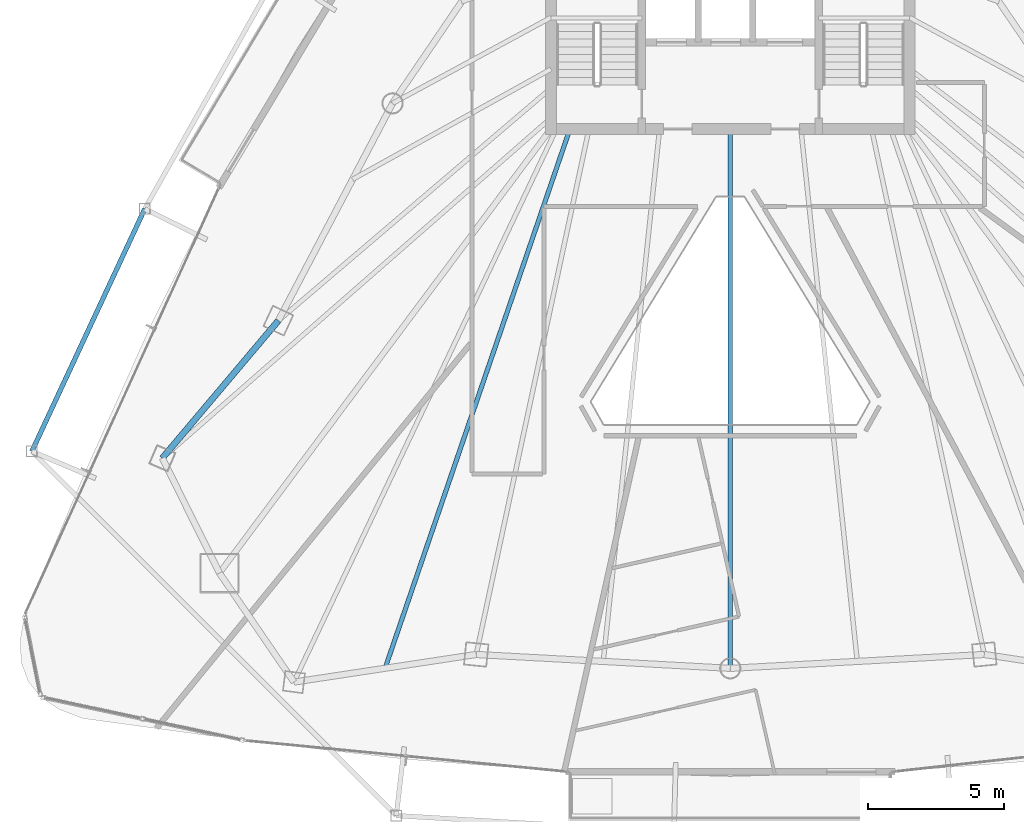
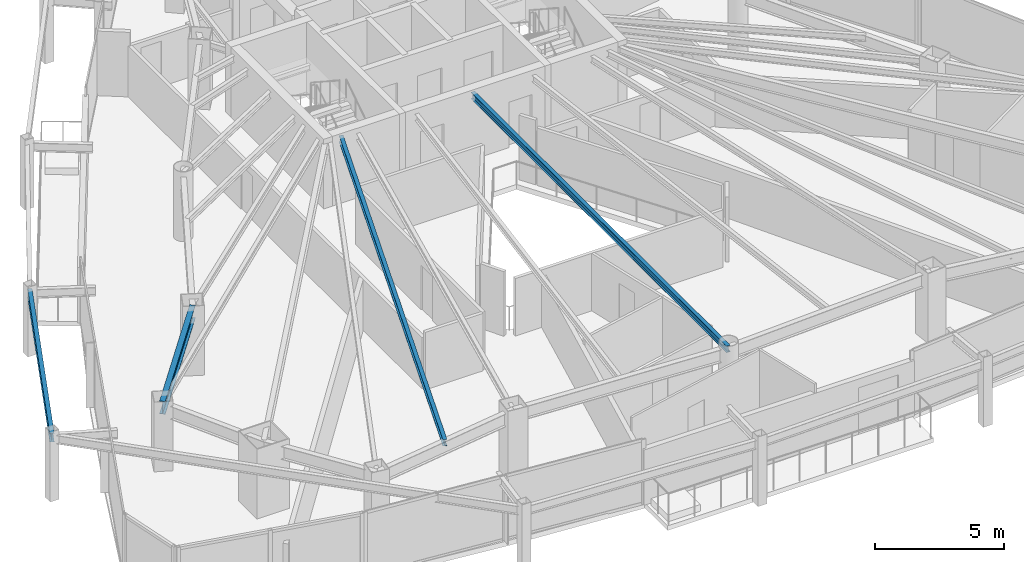
# One storey, part 9 of 33: 4 beams.
"""IFC4 building model written with IfcOpenShell, lengths in metres."""

from ifc_helpers import new_model, si_unit, direction, frame, origin, origin_2d, place, context, subcontext, project, spatial, i_section, extrude, material, material_profile, profile_set, type_object, element, save


model = new_model("IFC4")

# Units and contexts
model_context = context("Model", 3, precision=1e-05, world=origin(), true_north=direction((0.0, 1.0)))
body_context = subcontext(model_context, "Body", "Model", "MODEL_VIEW")
ifc_project = project(units=[si_unit("LENGTHUNIT", "METRE"), si_unit("AREAUNIT", "SQUARE_METRE"), si_unit("VOLUMEUNIT", "CUBIC_METRE"), si_unit("PLANEANGLEUNIT", "RADIAN"), si_unit("MASSUNIT", "GRAM", prefix="KILO")], contexts=[model_context])

# Site, building, storey
site_placement = place(None, origin())
site = spatial("IfcSite", under=ifc_project, at=site_placement, CompositionType="ELEMENT")
building_placement = place(site_placement, origin())
building = spatial("IfcBuilding", under=site, at=building_placement, Name="Orvanel Arch Residences", CompositionType="ELEMENT")
storey_placement = place(building_placement, frame((0.0, 0.0, 119.89990234375)))
storey = spatial("IfcBuildingStorey", under=building, at=storey_placement, Name="L33", CompositionType="ELEMENT", Elevation=119.89990234375)

# Beams
ifc_material = material(Name="Structural steel AS/NZS 3679.1 Grade 300 (300 MPa)", Category="steel")
ifc_material_profile_1 = material_profile(ifc_material, i_section(OverallWidth=0.1650390625, OverallDepth=0.303955078125, WebThickness=0.006103515625, FlangeThickness=0.01025390625, at=origin_2d()), Name="310UB40.4")
ifc_profile_set_1 = profile_set([ifc_material_profile_1], Name="Structural steel AS/NZS 3679.1 Grade 300 (300 MPa)")
beam_type_1 = type_object("IfcBeamType", Name="BJ-310UB", PredefinedType="JOIST", material=ifc_profile_set_1)
beam_1_placement = place(storey_placement, frame((33.0, 26.699951171875, 2.908203125), z_axis=(0.0, -1.0, 0.0), x_axis=(1.0, 0.0, 0.0)))
element("IfcBeam", 1, at=beam_1_placement, inside=storey, type_object=beam_type_1, Name="L33 SSW Wing Floor Joist", PredefinedType="JOIST", context=body_context, shape_type="SweptSolid", body=[
    extrude(i_section(OverallWidth=0.1650390625, OverallDepth=0.303955078125, WebThickness=0.006103515625, FlangeThickness=0.01025390625, at=origin_2d()), origin(), (0.0, 0.0, 1.0), 19.85595703125),
])
beam_2_placement = place(storey_placement, frame((27.10009765625, 26.699951171875, 2.908203125), z_axis=(-0.324257108963, -0.945968988544, 0.0), x_axis=(0.945968988544, -0.324257108963, 0.0)))
element("IfcBeam", 2, at=beam_2_placement, inside=storey, type_object=beam_type_1, Name="L33 JADD1 Wing Floor Joist", PredefinedType="JOIST", context=body_context, shape_type="SweptSolid", body=[
    extrude(i_section(OverallWidth=0.1650390625, OverallDepth=0.303955078125, WebThickness=0.006103515625, FlangeThickness=0.01025390625, at=origin_2d()), origin(), (0.0, 0.0, 1.0), 20.987060546875),
])
ifc_material_profile_2 = material_profile(ifc_material, i_section(OverallWidth=0.177978515625, OverallDepth=0.406005859375, WebThickness=0.0078125, FlangeThickness=0.0126953125, at=origin_2d()), Name="410UB59.7")
ifc_profile_set_2 = profile_set([ifc_material_profile_2], Name="Structural steel AS/NZS 3679.1 Grade 300 (300 MPa)")
beam_type_2 = type_object("IfcBeamType", Name="OB-410UB-EXT", PredefinedType="SPANDREL", material=ifc_profile_set_2)
beam_3_placement = place(storey_placement, frame((11.449951171875, 23.757080078125, 2.857177734375), z_axis=(-0.422138837751, -0.906531191776, 0.0), x_axis=(0.906531191776, -0.422138837751, 0.0)))
element("IfcBeam", 3, at=beam_3_placement, inside=storey, type_object=beam_type_2, Name="L33 Outer Perimeter Floor Ring Beam 03", PredefinedType="SPANDREL", context=body_context, shape_type="SweptSolid", body=[
    extrude(i_section(OverallWidth=0.177978515625, OverallDepth=0.406005859375, WebThickness=0.0078125, FlangeThickness=0.0126953125, at=origin_2d()), origin(), (0.0, 0.0, 1.0), 9.847412109375),
])
ifc_material_profile_3 = material_profile(ifc_material, i_section(OverallWidth=0.22900390625, OverallDepth=0.612060546875, WebThickness=0.011962890625, FlangeThickness=0.01953125, at=origin_2d()), Name="610UB125")
ifc_profile_set_3 = profile_set([ifc_material_profile_3], Name="Structural steel AS/NZS 3679.1 Grade 300 (300 MPa)")
beam_type_3 = type_object("IfcBeamType", Name="SP-610UB", PredefinedType="SPANDREL", material=ifc_profile_set_3)
beam_4_placement = place(storey_placement, frame((16.366943359375, 19.64208984375, 2.754150390625), z_axis=(-0.644950329775, -0.764224490659, 0.0), x_axis=(0.764224490659, -0.644950329775, 0.0)))
element("IfcBeam", 4, at=beam_4_placement, inside=storey, type_object=beam_type_3, Name="L33 Perimeter Spandrel Beam 01", PredefinedType="SPANDREL", context=body_context, shape_type="SweptSolid", body=[
    extrude(i_section(OverallWidth=0.22900390625, OverallDepth=0.612060546875, WebThickness=0.011962890625, FlangeThickness=0.01953125, at=origin_2d()), origin(), (0.0, 0.0, 1.0), 6.623779296875),
])

save(model, "model.ifc")
